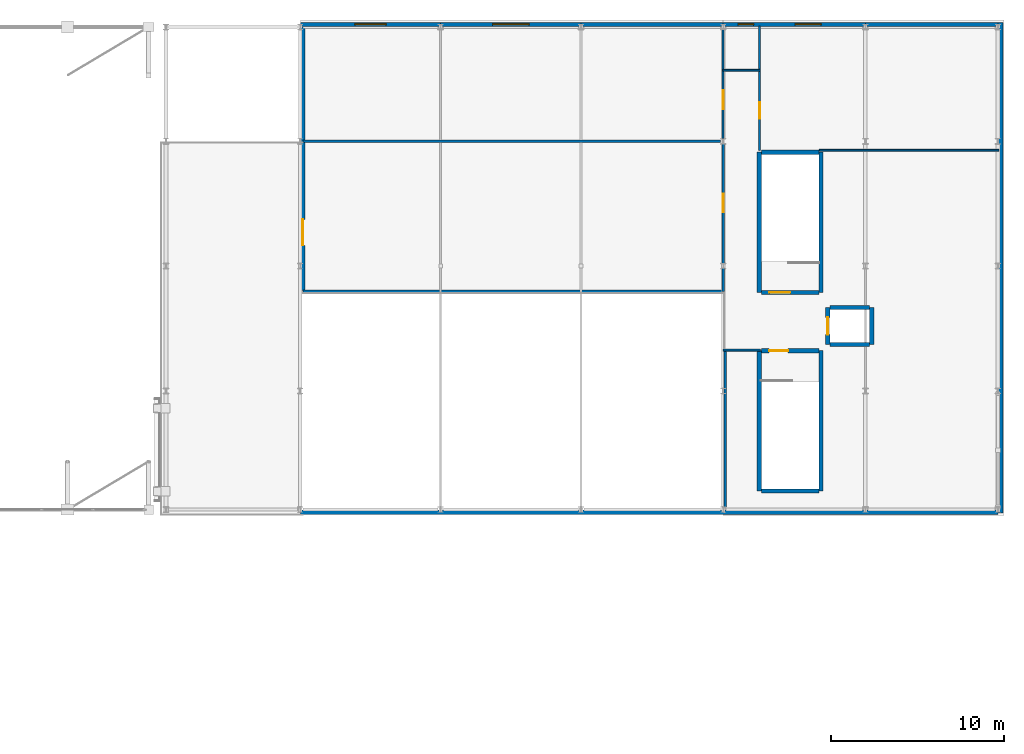
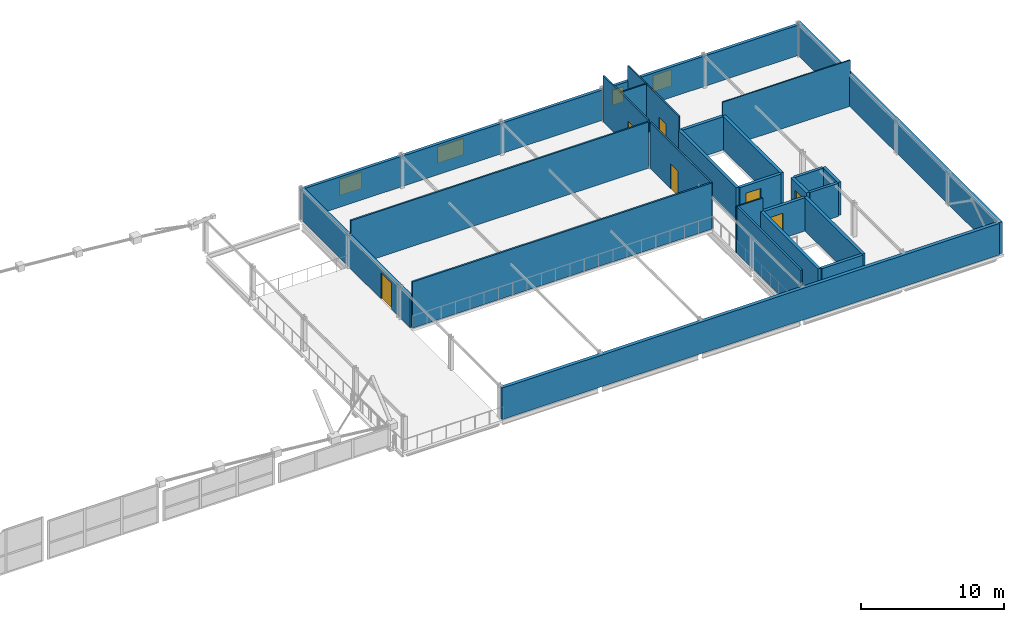
# One storey, part 53 of 60: 29 walls, 7 doors, 4 windows, 11 openings.
"""IFC4 building model written with IfcOpenShell, lengths in metres."""

from ifc_helpers import new_model, si_unit, direction, frame, frame_2d, origin, place, context, subcontext, project, spatial, rectangle, extrude, material, layer, layer_set, type_object, element, fill, save


model = new_model("IFC4")

# Units and contexts
model_context = context("Model", 3, precision=1e-05, world=origin(), true_north=direction((0.0, 1.0)))
body_context = subcontext(model_context, "Body", "Model", "MODEL_VIEW")
ifc_project = project(units=[si_unit("LENGTHUNIT", "METRE"), si_unit("AREAUNIT", "SQUARE_METRE"), si_unit("VOLUMEUNIT", "CUBIC_METRE"), si_unit("PLANEANGLEUNIT", "RADIAN"), si_unit("MASSUNIT", "GRAM", prefix="KILO")], contexts=[model_context])

# Site, building, storey
site_placement = place(None, origin())
site = spatial("IfcSite", under=ifc_project, at=site_placement, CompositionType="ELEMENT")
building_placement = place(site_placement, origin())
building = spatial("IfcBuilding", under=site, at=building_placement, Name="Quillay Park Conservatory", CompositionType="ELEMENT")
storey_placement = place(building_placement, frame((0.0, 0.0, 9.89990234375)))
storey = spatial("IfcBuildingStorey", under=building, at=storey_placement, Name="L02", CompositionType="ELEMENT", Elevation=9.89990234375)

# Wall
ifc_material_1 = material(Name="Steel-Stud Acoustic Gypsum Board Partition", Category="steel")
ifc_layer_1 = layer(ifc_material_1, 0.10009765625)
ifc_layer_set_1 = layer_set([ifc_layer_1], Name="ACOUSTIC GYPSUM PARTITION 100 (Steel-Stud Acoustic Gypsum Board Partition)")
wall_type_1 = type_object("IfcWallType", Name="ACOUSTIC GYPSUM PARTITION 100", PredefinedType="PARTITIONING", material=ifc_layer_set_1)
wall_1_placement = place(storey_placement, frame((153.550048828125, 106.280029296875, 0.0), z_axis=(0.0, 0.0, 1.0), x_axis=(1.0, 0.0, 0.0)))
element("IfcWall", 1, at=wall_1_placement, inside=storey, type_object=wall_type_1, Name="L02 Projection Suite South Wall", PredefinedType="PARTITIONING", context=body_context, shape_type="SweptSolid", body=[
    extrude(rectangle(XDim=10.349853515625, YDim=0.10009765625, at=frame_2d((5.1748046875, 0.0))), origin(), (0.0, 0.0, 1.0), 3.9501953125),
])

# Wall, opening, door
ifc_material_2 = material(Name="Steel-Stud Acoustic Gypsum Board Partition", Category="steel")
ifc_layer_2 = layer(ifc_material_2, 0.10498046875)
ifc_layer_set_2 = layer_set([ifc_layer_2], Name="ACOUSTIC GYPSUM PARTITION 105 (Steel-Stud Acoustic Gypsum Board Partition)")
wall_type_2 = type_object("IfcWallType", Name="ACOUSTIC GYPSUM PARTITION 105", PredefinedType="PARTITIONING", material=ifc_layer_set_2)
wall_2_placement = place(storey_placement, frame((150.10009765625, 106.280029296875, 0.0), z_axis=(0.0, 0.0, 1.0), x_axis=(0.0, 1.0, 0.0)))
wall_2 = element("IfcWall", 2, at=wall_2_placement, inside=storey, type_object=wall_type_2, Name="L02 Projection Suite West Door Wall", PredefinedType="PARTITIONING", context=body_context, shape_type="SweptSolid", body=[
    extrude(rectangle(XDim=7.169921875, YDim=0.10498046875, at=frame_2d((3.5849609375, 0.0))), origin(), (0.0, 0.0, 1.0), 3.9501953125),
])
opening_1_placement = place(wall_2_placement, frame((1.824951171875, 0.0, 0.0)))
opening_1 = element("IfcOpeningElement", 3, at=opening_1_placement, cuts=wall_2, Name="Opening D-RM13", PredefinedType="OPENING", context=body_context, shape_type="SweptSolid", body=[
    extrude(rectangle(XDim=0.949951171875, YDim=2.199951171875, at=frame_2d((0.47509765625, 1.10009765625))), frame((0.0, 0.052490234375, 0.0), z_axis=(0.0, -1.0, 0.0), x_axis=(1.0, 0.0, 0.0)), (0.0, 0.0, 1.0), 0.10498046875),
])
ifc_material_3 = material(Name="Thermally Broken Anodised Aluminium 6063-T6", Category="aluminium")
door_type_1 = type_object("IfcDoorType", Name="SINGLE SWING DOOR 950 X2200", OperationType="NOTDEFINED", PredefinedType="DOOR", material=ifc_material_3)
door_1_placement = place(opening_1_placement, origin())
door_1 = element("IfcDoor", 4, at=door_1_placement, inside=storey, type_object=door_type_1, Name="L02 Door to Auditorium Projection and Acoustic Control Suite", OperationType="SINGLE_SWING_LEFT", OverallHeight=2.199951171875, OverallWidth=0.949951171875, PredefinedType="DOOR", context=body_context, shape_type="SweptSolid", body=[
    extrude(rectangle(XDim=0.949951171875, YDim=2.199951171875, at=frame_2d((0.47509765625, 1.10009765625))), frame((0.0, 0.02490234375, 0.0), z_axis=(0.0, -1.0, 0.0), x_axis=(1.0, 0.0, 0.0)), (0.0, 0.0, 1.0), 0.050048828125),
])
fill(opening_1, door_1)

# Walls
ifc_material_4 = material(Name="Steel-Stud Acoustic Gypsum Board Partition", Category="steel")
ifc_layer_3 = layer(ifc_material_4, 0.110107421875)
ifc_layer_set_3 = layer_set([ifc_layer_3], Name="ACOUSTIC GYPSUM PARTITION 110 (Steel-Stud Acoustic Gypsum Board Partition)")
wall_type_3 = type_object("IfcWallType", Name="ACOUSTIC GYPSUM PARTITION 110", PredefinedType="PARTITIONING", material=ifc_layer_set_3)
wall_3_placement = place(storey_placement, frame((148.0, 110.89990234375, 0.0), z_axis=(0.0, 0.0, 1.0), x_axis=(1.0, 0.0, 0.0)))
element("IfcWall", 5, at=wall_3_placement, inside=storey, type_object=wall_type_3, Name="L02 Aud Corridor North Wall", PredefinedType="PARTITIONING", context=body_context, shape_type="SweptSolid", body=[
    extrude(rectangle(XDim=2.14990234375, YDim=0.110107421875, at=frame_2d((1.074951171875, 0.0))), origin(), (0.0, 0.0, 1.0), 3.9501953125),
])
ifc_material_5 = material(Name="Steel-Stud Acoustic Gypsum Board Partition", Category="steel")
ifc_layer_4 = layer(ifc_material_5, 0.114990234375)
ifc_layer_set_4 = layer_set([ifc_layer_4], Name="ACOUSTIC GYPSUM PARTITION 115 (Steel-Stud Acoustic Gypsum Board Partition)")
wall_type_4 = type_object("IfcWallType", Name="ACOUSTIC GYPSUM PARTITION 115", PredefinedType="PARTITIONING", material=ifc_layer_set_4)
wall_4_placement = place(storey_placement, frame((148.0, 94.75, 0.0), z_axis=(0.0, 0.0, 1.0), x_axis=(1.0, 0.0, 0.0)))
element("IfcWall", 6, at=wall_4_placement, inside=storey, type_object=wall_type_4, Name="L02 Aud Corridor South Wall", PredefinedType="PARTITIONING", context=body_context, shape_type="SweptSolid", body=[
    extrude(rectangle(XDim=2.14990234375, YDim=0.114990234375, at=frame_2d((1.074951171875, 0.0))), origin(), (0.0, 0.0, 1.0), 3.9501953125),
])

# Wall, opening, door
ifc_material_6 = material(Name="Steel-Stud Acoustic Gypsum Board Partition", Category="steel")
ifc_layer_5 = layer(ifc_material_6, 0.1201171875)
ifc_layer_set_5 = layer_set([ifc_layer_5], Name="ACOUSTIC GYPSUM PARTITION 120 (Steel-Stud Acoustic Gypsum Board Partition)")
wall_type_5 = type_object("IfcWallType", Name="ACOUSTIC GYPSUM PARTITION 120", PredefinedType="PARTITIONING", material=ifc_layer_set_5)
wall_5_placement = place(storey_placement, frame((148.0, 106.95654296875, 0.0), z_axis=(0.0, 0.0, 1.0), x_axis=(0.0, 1.0, 0.0)))
wall_5 = element("IfcWall", 7, at=wall_5_placement, inside=storey, type_object=wall_type_5, Name="L02 Translation Studio East Door Wall", PredefinedType="PARTITIONING", context=body_context, shape_type="SweptSolid", body=[
    extrude(rectangle(XDim=6.286865234375, YDim=0.1201171875, at=frame_2d((3.1435546875, 0.0))), origin(), (0.0, 0.0, 1.0), 3.9501953125),
])
opening_2_placement = place(wall_5_placement, frame((1.68359375, 0.0, 0.0)))
opening_2 = element("IfcOpeningElement", 8, at=opening_2_placement, cuts=wall_5, Name="Opening D-RM12", PredefinedType="OPENING", context=body_context, shape_type="SweptSolid", body=[
    extrude(rectangle(XDim=1.1201171875, YDim=2.14990234375, at=frame_2d((0.56005859375, 1.074951171875))), frame((0.0, 0.06005859375, 0.0), z_axis=(0.0, -1.0, 0.0), x_axis=(1.0, 0.0, 0.0)), (0.0, 0.0, 1.0), 0.1201171875),
])
ifc_material_7 = material(Name="Thermally Broken Anodised Aluminium 6063-T6", Category="aluminium")
door_type_2 = type_object("IfcDoorType", Name="SINGLE SWING DOOR 1120 X2150", OperationType="NOTDEFINED", PredefinedType="DOOR", material=ifc_material_7)
door_2_placement = place(opening_2_placement, origin())
door_2 = element("IfcDoor", 9, at=door_2_placement, inside=storey, type_object=door_type_2, Name="L02 Door to Auditorium Translation and Recording Studio", OperationType="SINGLE_SWING_RIGHT", OverallHeight=2.14990234375, OverallWidth=1.1201171875, PredefinedType="DOOR", context=body_context, shape_type="SweptSolid", body=[
    extrude(rectangle(XDim=1.1201171875, YDim=2.14990234375, at=frame_2d((0.56005859375, 1.074951171875))), frame((0.0, 0.02490234375, 0.0), z_axis=(0.0, -1.0, 0.0), x_axis=(1.0, 0.0, 0.0)), (0.0, 0.0, 1.0), 0.050048828125),
])
fill(opening_2, door_2)

ifc_material_8 = material(Name="Steel-Stud Acoustic Gypsum Board Partition", Category="steel")
ifc_layer_6 = layer(ifc_material_8, 0.125)
ifc_layer_set_6 = layer_set([ifc_layer_6], Name="ACOUSTIC GYPSUM PARTITION 125 (Steel-Stud Acoustic Gypsum Board Partition)")
wall_type_6 = type_object("IfcWallType", Name="ACOUSTIC GYPSUM PARTITION 125", PredefinedType="PARTITIONING", material=ifc_layer_set_6)
wall_6_placement = place(storey_placement, frame((148.0, 98.14990234375, 0.0), z_axis=(0.0, 0.0, 1.0), x_axis=(0.0, 1.0, 0.0)))
wall_6 = element("IfcWall", 10, at=wall_6_placement, inside=storey, type_object=wall_type_6, Name="L02 Gallery East Door Wall", PredefinedType="PARTITIONING", context=body_context, shape_type="SweptSolid", body=[
    extrude(rectangle(XDim=8.49365234375, YDim=0.125, at=frame_2d((4.246826171875, 0.0))), origin(), (0.0, 0.0, 1.0), 3.9501953125),
])
opening_3_placement = place(wall_6_placement, frame((4.56005859375, 0.0, 0.0)))
opening_3 = element("IfcOpeningElement", 11, at=opening_3_placement, cuts=wall_6, Name="Opening D-RM11", PredefinedType="OPENING", context=body_context, shape_type="SweptSolid", body=[
    extrude(rectangle(XDim=1.080078125, YDim=2.14990234375, at=frame_2d((0.5400390625, 1.074951171875))), frame((0.0, 0.0625, 0.0), z_axis=(0.0, -1.0, 0.0), x_axis=(1.0, 0.0, 0.0)), (0.0, 0.0, 1.0), 0.125),
])
ifc_material_9 = material(Name="Thermally Broken Anodised Aluminium 6063-T6", Category="aluminium")
door_type_3 = type_object("IfcDoorType", Name="SINGLE SWING DOOR 1080 X2150", OperationType="NOTDEFINED", PredefinedType="DOOR", material=ifc_material_9)
door_3_placement = place(opening_3_placement, origin())
door_3 = element("IfcDoor", 12, at=door_3_placement, inside=storey, type_object=door_type_3, Name="L02 Door to L02 Auditorium Terrace Gallery Lounge", OperationType="SINGLE_SWING_LEFT", OverallHeight=2.14990234375, OverallWidth=1.080078125, PredefinedType="DOOR", context=body_context, shape_type="SweptSolid", body=[
    extrude(rectangle(XDim=1.080078125, YDim=2.14990234375, at=frame_2d((0.5400390625, 1.074951171875))), frame((0.0, 0.02490234375, 0.0), z_axis=(0.0, -1.0, 0.0), x_axis=(1.0, 0.0, 0.0)), (0.0, 0.0, 1.0), 0.050048828125),
])
fill(opening_3, door_3)

# Walls
ifc_material_10 = material(Name="Steel-Stud Acoustic Gypsum Board Partition", Category="steel")
ifc_layer_7 = layer(ifc_material_10, 0.1298828125)
ifc_layer_set_7 = layer_set([ifc_layer_7], Name="ACOUSTIC GYPSUM PARTITION 130 (Steel-Stud Acoustic Gypsum Board Partition)")
wall_type_7 = type_object("IfcWallType", Name="ACOUSTIC GYPSUM PARTITION 130", PredefinedType="PARTITIONING", material=ifc_layer_set_7)
wall_7_placement = place(storey_placement, frame((123.75, 106.800048828125, 0.0), z_axis=(0.0, 0.0, 1.0), x_axis=(1.0, 0.0, 0.0)))
element("IfcWall", 13, at=wall_7_placement, inside=storey, type_object=wall_type_7, Name="L02 Gallery-Studio Divider", PredefinedType="PARTITIONING", context=body_context, shape_type="SweptSolid", body=[
    extrude(rectangle(XDim=24.1005859375, YDim=0.1298828125, at=frame_2d((12.05029296875, 0.0))), origin(), (0.0, 0.0, 1.0), 3.9501953125),
])
ifc_material_11 = material(Name="Steel-Stud Acoustic Gypsum Board Partition", Category="steel")
ifc_layer_8 = layer(ifc_material_11, 0.139892578125)
ifc_layer_set_8 = layer_set([ifc_layer_8], Name="ACOUSTIC GYPSUM PARTITION 140 (Steel-Stud Acoustic Gypsum Board Partition)")
wall_type_8 = type_object("IfcWallType", Name="ACOUSTIC GYPSUM PARTITION 140", PredefinedType="PARTITIONING", material=ifc_layer_set_8)
wall_8_placement = place(storey_placement, frame((123.75, 98.14990234375, 0.0), z_axis=(0.0, 0.0, 1.0), x_axis=(1.0, 0.0, 0.0)))
element("IfcWall", 14, at=wall_8_placement, inside=storey, type_object=wall_type_8, Name="L02 Gallery South Overlook Wall", PredefinedType="PARTITIONING", context=body_context, shape_type="SweptSolid", body=[
    extrude(rectangle(XDim=24.25, YDim=0.139892578125, at=frame_2d((12.125, 0.0))), origin(), (0.0, 0.0, 1.0), 3.9501953125),
])
ifc_material_12 = material(Name="Steel-Stud Acoustic Gypsum Board Partition", Category="steel")
ifc_layer_9 = layer(ifc_material_12, 0.14990234375)
ifc_layer_set_9 = layer_set([ifc_layer_9], Name="ACOUSTIC GYPSUM PARTITION 150 (Steel-Stud Acoustic Gypsum Board Partition)")
wall_type_9 = type_object("IfcWallType", Name="ACOUSTIC GYPSUM PARTITION 150", PredefinedType="PARTITIONING", material=ifc_layer_set_9)
wall_9_placement = place(storey_placement, frame((148.1201171875, 85.70654296875, 0.0), z_axis=(0.0, 0.0, 1.0), x_axis=(0.0, 1.0, 0.0)))
element("IfcWall", 15, at=wall_9_placement, inside=storey, type_object=wall_type_9, Name="L02 Aud East Void Closure", PredefinedType="PARTITIONING", context=body_context, shape_type="SweptSolid", body=[
    extrude(rectangle(XDim=9.04345703125, YDim=0.14990234375, at=frame_2d((4.521728515625, 0.0))), origin(), (0.0, 0.0, 1.0), 3.9501953125),
])
ifc_material_13 = material(Name="Concrete C35/45 (NCh170 Concrete C35/45)", Category="concrete")
ifc_layer_10 = layer(ifc_material_13, 0.22509765625)
ifc_layer_set_10 = layer_set([ifc_layer_10], Name="CORE SHEAR WALL 225 (Concrete C35/45 (NCh170 Concrete C35/45))")
wall_type_10 = type_object("IfcWallType", Name="CORE SHEAR WALL 225", PredefinedType="SHEAR", material=ifc_layer_set_10)
for number, where, z_axis, x_axis, name in (
    (16, (154.14990234375, 95.08740234375, 0.0), (0.0, 0.0, 1.0), (1.0, 0.0, 0.0), "L02 Core Shear Wall WL-LFA1S-L02"),
    (17, (154.14990234375, 97.21240234375, 0.0), (0.0, 0.0, 1.0), (1.0, 0.0, 0.0), "L02 Core Shear Wall WL-LFA1N-L02"),
):
    element("IfcWall", number, at=place(storey_placement, frame(where, z_axis=z_axis, x_axis=x_axis)), inside=storey, type_object=wall_type_10, Name=name, PredefinedType="SHEAR", context=body_context, shape_type="SweptSolid", body=[
        extrude(rectangle(XDim=2.300048828125, YDim=0.22509765625, at=frame_2d((1.14990234375, 0.0))), origin(), (0.0, 0.0, 1.0), 2.85009765625),
    ])
ifc_material_14 = material(Name="Concrete C40/50 (NCh170 Concrete C40/50)", Category="concrete")
ifc_layer_11 = layer(ifc_material_14, 0.25)
ifc_layer_set_11 = layer_set([ifc_layer_11], Name="CORE SHEAR WALL 250 (Concrete C40/50 (NCh170 Concrete C40/50))")
wall_type_11 = type_object("IfcWallType", Name="CORE SHEAR WALL 250", PredefinedType="SHEAR", material=ifc_layer_set_11)
for number, where, z_axis, x_axis, name in (
    (18, (150.074951171875, 86.625, 0.0), (0.0, 0.0, 1.0), (0.0, 1.0, 0.0), "L02 Core Shear Wall WL-A1W-L02"),
    (19, (153.64501953125, 86.625, 0.0), (0.0, 0.0, 1.0), (0.0, 1.0, 0.0), "L02 Core Shear Wall WL-A1E-L02"),
):
    element("IfcWall", number, at=place(storey_placement, frame(where, z_axis=z_axis, x_axis=x_axis)), inside=storey, type_object=wall_type_11, Name=name, PredefinedType="SHEAR", context=body_context, shape_type="SweptSolid", body=[
        extrude(rectangle(XDim=8.10009765625, YDim=0.25, at=frame_2d((4.050048828125, 0.0))), origin(), (0.0, 0.0, 1.0), 2.85009765625),
    ])
wall_10_placement = place(storey_placement, frame((150.199951171875, 86.625, 0.0), z_axis=(0.0, 0.0, 1.0), x_axis=(1.0, 0.0, 0.0)))
element("IfcWall", 20, at=wall_10_placement, inside=storey, type_object=wall_type_11, Name="L02 Core Shear Wall WL-A1S-L02", PredefinedType="SHEAR", context=body_context, shape_type="SweptSolid", body=[
    extrude(rectangle(XDim=3.320068359375, YDim=0.25, at=frame_2d((1.66015625, 0.0))), origin(), (0.0, 0.0, 1.0), 2.85009765625),
])

# Wall, opening, door
wall_11_placement = place(storey_placement, frame((150.199951171875, 94.72509765625, 0.0), z_axis=(0.0, 0.0, 1.0), x_axis=(1.0, 0.0, 0.0)))
wall_11 = element("IfcWall", 21, at=wall_11_placement, inside=storey, type_object=wall_type_11, Name="L02 Core Shear Wall WL-A1D-L02", PredefinedType="SHEAR", context=body_context, shape_type="SweptSolid", body=[
    extrude(rectangle(XDim=3.320068359375, YDim=0.25, at=frame_2d((1.66015625, 0.0))), origin(), (0.0, 0.0, 1.0), 2.85009765625),
])
opening_4_placement = place(wall_11_placement, frame((0.449951171875, 0.0, 0.0)))
opening_4 = element("IfcOpeningElement", 22, at=opening_4_placement, cuts=wall_11, Name="Opening D-ST01", PredefinedType="OPENING", context=body_context, shape_type="SweptSolid", body=[
    extrude(rectangle(XDim=1.10009765625, YDim=2.14990234375, at=frame_2d((0.550048828125, 1.074951171875))), frame((0.0, 0.125, 0.0), z_axis=(0.0, -1.0, 0.0), x_axis=(1.0, 0.0, 0.0)), (0.0, 0.0, 1.0), 0.25),
])
ifc_material_15 = material(Name="Steel ASTM A572 Grade 50", Category="steel")
door_type_4 = type_object("IfcDoorType", Name="FIRE RATED STAIR DOOR 1100 X2150", OperationType="NOTDEFINED", PredefinedType="DOOR", material=ifc_material_15)
door_4_placement = place(opening_4_placement, origin())
door_4 = element("IfcDoor", 23, at=door_4_placement, inside=storey, type_object=door_type_4, Name="L02 Auditorium Stair ST-A1 Door", OperationType="SINGLE_SWING_LEFT", OverallHeight=2.14990234375, OverallWidth=1.10009765625, PredefinedType="DOOR", context=body_context, shape_type="SweptSolid", body=[
    extrude(rectangle(XDim=1.10009765625, YDim=2.14990234375, at=frame_2d((0.550048828125, 1.074951171875))), frame((0.0, 0.02490234375, 0.0), z_axis=(0.0, -1.0, 0.0), x_axis=(1.0, 0.0, 0.0)), (0.0, 0.0, 1.0), 0.050048828125),
])
fill(opening_4, door_4)

# Walls
for number, where, z_axis, x_axis, name in (
    (24, (150.074951171875, 98.074951171875, 0.0), (0.0, 0.0, 1.0), (0.0, 1.0, 0.0), "L02 Core Shear Wall WL-A2W-L02"),
    (25, (153.64501953125, 98.074951171875, 0.0), (0.0, 0.0, 1.0), (0.0, 1.0, 0.0), "L02 Core Shear Wall WL-A2E-L02"),
):
    element("IfcWall", number, at=place(storey_placement, frame(where, z_axis=z_axis, x_axis=x_axis)), inside=storey, type_object=wall_type_11, Name=name, PredefinedType="SHEAR", context=body_context, shape_type="SweptSolid", body=[
        extrude(rectangle(XDim=8.10009765625, YDim=0.25, at=frame_2d((4.050048828125, 0.0))), origin(), (0.0, 0.0, 1.0), 2.85009765625),
    ])
wall_12_placement = place(storey_placement, frame((150.199951171875, 106.175048828125, 0.0), z_axis=(0.0, 0.0, 1.0), x_axis=(1.0, 0.0, 0.0)))
element("IfcWall", 26, at=wall_12_placement, inside=storey, type_object=wall_type_11, Name="L02 Core Shear Wall WL-A2N-L02", PredefinedType="SHEAR", context=body_context, shape_type="SweptSolid", body=[
    extrude(rectangle(XDim=3.320068359375, YDim=0.25, at=frame_2d((1.66015625, 0.0))), origin(), (0.0, 0.0, 1.0), 2.85009765625),
])

# Wall, opening, door
wall_13_placement = place(storey_placement, frame((153.52001953125, 98.074951171875, 0.0), z_axis=(0.0, 0.0, 1.0), x_axis=(-1.0, 0.0, 0.0)))
wall_13 = element("IfcWall", 27, at=wall_13_placement, inside=storey, type_object=wall_type_11, Name="L02 Core Shear Wall WL-A2D-L02", PredefinedType="SHEAR", context=body_context, shape_type="SweptSolid", body=[
    extrude(rectangle(XDim=3.320068359375, YDim=0.25, at=frame_2d((1.66015625, 0.0))), origin(), (0.0, 0.0, 1.0), 2.85009765625),
])
opening_5_placement = place(wall_13_placement, frame((1.64990234375, 0.0, 0.0)))
opening_5 = element("IfcOpeningElement", 28, at=opening_5_placement, cuts=wall_13, Name="Opening D-ST03", PredefinedType="OPENING", context=body_context, shape_type="SweptSolid", body=[
    extrude(rectangle(XDim=1.199951171875, YDim=2.199951171875, at=frame_2d((0.60009765625, 1.10009765625))), frame((0.0, 0.125, 0.0), z_axis=(0.0, -1.0, 0.0), x_axis=(1.0, 0.0, 0.0)), (0.0, 0.0, 1.0), 0.25),
])
ifc_material_16 = material(Name="Steel ASTM A572 Grade 50", Category="steel")
door_type_5 = type_object("IfcDoorType", Name="FIRE RATED STAIR DOOR 1200 X2200", OperationType="NOTDEFINED", PredefinedType="DOOR", material=ifc_material_16)
door_5_placement = place(opening_5_placement, origin())
door_5 = element("IfcDoor", 29, at=door_5_placement, inside=storey, type_object=door_type_5, Name="L02 Auditorium Stair ST-A2 Door", OperationType="SINGLE_SWING_RIGHT", OverallHeight=2.199951171875, OverallWidth=1.199951171875, PredefinedType="DOOR", context=body_context, shape_type="SweptSolid", body=[
    extrude(rectangle(XDim=1.199951171875, YDim=2.199951171875, at=frame_2d((0.60009765625, 1.10009765625))), frame((0.0, 0.02490234375, 0.0), z_axis=(0.0, -1.0, 0.0), x_axis=(1.0, 0.0, 0.0)), (0.0, 0.0, 1.0), 0.050048828125),
])
fill(opening_5, door_5)

# Wall
wall_14_placement = place(storey_placement, frame((156.574951171875, 95.074951171875, 0.0), z_axis=(0.0, 0.0, 1.0), x_axis=(0.0, 1.0, 0.0)))
element("IfcWall", 30, at=wall_14_placement, inside=storey, type_object=wall_type_11, Name="L02 Core Shear Wall WL-LFA1B-L02", PredefinedType="SHEAR", context=body_context, shape_type="SweptSolid", body=[
    extrude(rectangle(XDim=2.150146484375, YDim=0.25, at=frame_2d((1.0751953125, 0.0))), origin(), (0.0, 0.0, 1.0), 2.85009765625),
])

# Wall, opening, door
wall_15_placement = place(storey_placement, frame((154.02490234375, 95.074951171875, 0.0), z_axis=(0.0, 0.0, 1.0), x_axis=(0.0, 1.0, 0.0)))
wall_15 = element("IfcWall", 31, at=wall_15_placement, inside=storey, type_object=wall_type_11, Name="L02 Core Shear Wall WL-LFA1F-L02", PredefinedType="SHEAR", context=body_context, shape_type="SweptSolid", body=[
    extrude(rectangle(XDim=2.150146484375, YDim=0.25, at=frame_2d((1.0751953125, 0.0))), origin(), (0.0, 0.0, 1.0), 2.85009765625),
])
opening_6_placement = place(wall_15_placement, frame((0.574951171875, 0.0, 0.0)))
opening_6 = element("IfcOpeningElement", 32, at=opening_6_placement, cuts=wall_15, Name="Opening LD04", PredefinedType="OPENING", context=body_context, shape_type="SweptSolid", body=[
    extrude(rectangle(XDim=1.0, YDim=2.10009765625, at=frame_2d((0.5, 1.050048828125))), frame((0.0, 0.125, 0.0), z_axis=(0.0, -1.0, 0.0), x_axis=(1.0, 0.0, 0.0)), (0.0, 0.0, 1.0), 0.25),
])
ifc_material_17 = material(Name="Steel ASTM A572 Grade 50", Category="steel")
door_type_6 = type_object("IfcDoorType", Name="LIFT LANDING SLIDING DOOR 1000 X2100", OperationType="NOTDEFINED", PredefinedType="DOOR", material=ifc_material_17)
door_6_placement = place(opening_6_placement, origin())
door_6 = element("IfcDoor", 33, at=door_6_placement, inside=storey, type_object=door_type_6, Name="L02 LF-A1 Lift Landing Door LD04", OperationType="SLIDING_TO_LEFT", OverallHeight=2.10009765625, OverallWidth=1.0, PredefinedType="DOOR", context=body_context, shape_type="SweptSolid", body=[
    extrude(rectangle(XDim=1.0, YDim=2.10009765625, at=frame_2d((0.5, 1.050048828125))), frame((0.0, 0.02490234375, 0.0), z_axis=(0.0, -1.0, 0.0), x_axis=(1.0, 0.0, 0.0)), (0.0, 0.0, 1.0), 0.050048828125),
])
fill(opening_6, door_6)

# Wall, opening, window
ifc_material_18 = material(Name="Glass-Fibre Reinforced Concrete (GRC) Cladding", Category="concrete")
ifc_layer_12 = layer(ifc_material_18, 0.239990234375)
ifc_layer_set_12 = layer_set([ifc_layer_12], Name="EXTERIOR SOLID WALL 240 (Glass-Fibre Reinforced Concrete (GRC) Cladding)")
wall_type_12 = type_object("IfcWallType", Name="EXTERIOR SOLID WALL 240", PredefinedType="SOLIDWALL", material=ifc_layer_set_12)
wall_16_placement = place(storey_placement, frame((123.60009765625, 113.550048828125, 0.0), z_axis=(0.0, 0.0, 1.0), x_axis=(1.0, 0.0, 0.0)))
wall_16 = element("IfcWall", 34, at=wall_16_placement, inside=storey, type_object=wall_type_12, Name="L02 External Wall WL-EXT-V2NB-L02-0", PredefinedType="SOLIDWALL", context=body_context, shape_type="SweptSolid", body=[
    extrude(rectangle(XDim=8.099853515625, YDim=0.239990234375, at=frame_2d((4.0498046875, 0.0))), origin(), (0.0, 0.0, 1.0), 2.60009765625),
])
opening_7_placement = place(wall_16_placement, frame((3.14990234375, 0.0, 0.919921875)))
opening_7 = element("IfcOpeningElement", 35, at=opening_7_placement, cuts=wall_16, Name="Opening W-05", PredefinedType="OPENING", context=body_context, shape_type="SweptSolid", body=[
    extrude(rectangle(XDim=1.800048828125, YDim=1.39990234375, at=frame_2d((0.89990234375, 0.699951171875))), frame((0.0, 0.1201171875, 0.0), z_axis=(0.0, -1.0, 0.0), x_axis=(1.0, 0.0, 0.0)), (0.0, 0.0, 1.0), 0.239990234375),
])
ifc_material_19 = material(Name="Low-E Double Glazing (Laminated Tempered)", Category="glass")
window_type_1 = type_object("IfcWindowType", Name="FIXED CASEMENT WINDOW 1800 X1400", PartitioningType="DOUBLE_PANEL_VERTICAL", PredefinedType="WINDOW", material=ifc_material_19)
window_1_placement = place(opening_7_placement, origin())
window_1 = element("IfcWindow", 36, at=window_1_placement, inside=storey, type_object=window_type_1, Name="L02 Exterior Window 0389", OverallHeight=1.39990234375, OverallWidth=1.800048828125, PartitioningType="DOUBLE_PANEL_VERTICAL", PredefinedType="WINDOW", context=body_context, shape_type="SweptSolid", body=[
    extrude(rectangle(XDim=1.800048828125, YDim=1.39990234375, at=frame_2d((0.89990234375, 0.699951171875))), frame((0.0, 0.030029296875, 0.0), z_axis=(0.0, -1.0, 0.0), x_axis=(1.0, 0.0, 0.0)), (0.0, 0.0, 1.0), 0.06005859375),
])
fill(opening_7, window_1)

wall_17_placement = place(storey_placement, frame((131.699951171875, 113.550048828125, 0.0), z_axis=(0.0, 0.0, 1.0), x_axis=(1.0, 0.0, 0.0)))
wall_17 = element("IfcWall", 37, at=wall_17_placement, inside=storey, type_object=wall_type_12, Name="L02 External Wall WL-EXT-V2NB-L02-1", PredefinedType="SOLIDWALL", context=body_context, shape_type="SweptSolid", body=[
    extrude(rectangle(XDim=8.10009765625, YDim=0.239990234375, at=frame_2d((4.050048828125, 0.0))), origin(), (0.0, 0.0, 1.0), 2.60009765625),
])
opening_8_placement = place(wall_17_placement, frame((3.0, 0.0, 0.919921875)))
opening_8 = element("IfcOpeningElement", 38, at=opening_8_placement, cuts=wall_17, Name="Opening W-06", PredefinedType="OPENING", context=body_context, shape_type="SweptSolid", body=[
    extrude(rectangle(XDim=2.10009765625, YDim=1.39990234375, at=frame_2d((1.050048828125, 0.699951171875))), frame((0.0, 0.1201171875, 0.0), z_axis=(0.0, -1.0, 0.0), x_axis=(1.0, 0.0, 0.0)), (0.0, 0.0, 1.0), 0.239990234375),
])
ifc_material_20 = material(Name="Low-E Double Glazing (Laminated Tempered)", Category="glass")
window_type_2 = type_object("IfcWindowType", Name="FIXED CASEMENT WINDOW 2100 X1400", PartitioningType="DOUBLE_PANEL_VERTICAL", PredefinedType="WINDOW", material=ifc_material_20)
window_2_placement = place(opening_8_placement, origin())
window_2 = element("IfcWindow", 39, at=window_2_placement, inside=storey, type_object=window_type_2, Name="L02 Exterior Window 0390", OverallHeight=1.39990234375, OverallWidth=2.10009765625, PartitioningType="DOUBLE_PANEL_VERTICAL", PredefinedType="WINDOW", context=body_context, shape_type="SweptSolid", body=[
    extrude(rectangle(XDim=2.10009765625, YDim=1.39990234375, at=frame_2d((1.050048828125, 0.699951171875))), frame((0.0, 0.030029296875, 0.0), z_axis=(0.0, -1.0, 0.0), x_axis=(1.0, 0.0, 0.0)), (0.0, 0.0, 1.0), 0.06005859375),
])
fill(opening_8, window_2)

# Wall
wall_18_placement = place(storey_placement, frame((139.800048828125, 113.550048828125, 0.0), z_axis=(0.0, 0.0, 1.0), x_axis=(1.0, 0.0, 0.0)))
element("IfcWall", 40, at=wall_18_placement, inside=storey, type_object=wall_type_12, Name="L02 External Wall WL-EXT-V2NB-L02-2", PredefinedType="SOLIDWALL", context=body_context, shape_type="SweptSolid", body=[
    extrude(rectangle(XDim=8.199951171875, YDim=0.239990234375, at=frame_2d((4.10009765625, 0.0))), origin(), (0.0, 0.0, 1.0), 2.60009765625),
])

# Wall, openings, windows
wall_19_placement = place(storey_placement, frame((148.0, 113.550048828125, 0.0), z_axis=(0.0, 0.0, 1.0), x_axis=(1.0, 0.0, 0.0)))
wall_19 = element("IfcWall", 41, at=wall_19_placement, inside=storey, type_object=wall_type_12, Name="L02 External Wall WL-EXT-V2NB-L02-3", PredefinedType="SOLIDWALL", context=body_context, shape_type="SweptSolid", body=[
    extrude(rectangle(XDim=8.199951171875, YDim=0.239990234375, at=frame_2d((4.10009765625, 0.0))), origin(), (0.0, 0.0, 1.0), 2.60009765625),
])
opening_9_placement = place(wall_19_placement, frame((0.85498046875, 0.0, 0.919921875)))
opening_9 = element("IfcOpeningElement", 42, at=opening_9_placement, cuts=wall_19, Name="Opening W-17", PredefinedType="OPENING", context=body_context, shape_type="SweptSolid", body=[
    extrude(rectangle(XDim=0.89990234375, YDim=1.300048828125, at=frame_2d((0.449951171875, 0.64990234375))), frame((0.0, 0.1201171875, 0.0), z_axis=(0.0, -1.0, 0.0), x_axis=(1.0, 0.0, 0.0)), (0.0, 0.0, 1.0), 0.239990234375),
])
opening_10_placement = place(wall_19_placement, frame((4.14501953125, 0.0, 0.919921875)))
opening_10 = element("IfcOpeningElement", 43, at=opening_10_placement, cuts=wall_19, Name="Opening W-03", PredefinedType="OPENING", context=body_context, shape_type="SweptSolid", body=[
    extrude(rectangle(XDim=1.5, YDim=1.39990234375, at=frame_2d((0.75, 0.699951171875))), frame((0.0, 0.1201171875, 0.0), z_axis=(0.0, -1.0, 0.0), x_axis=(1.0, 0.0, 0.0)), (0.0, 0.0, 1.0), 0.239990234375),
])
ifc_material_21 = material(Name="Low-E Double Glazing (Laminated Tempered)", Category="glass")
window_type_3 = type_object("IfcWindowType", Name="FIXED CASEMENT WINDOW 1500 X1400", PartitioningType="SINGLE_PANEL", PredefinedType="WINDOW", material=ifc_material_21)
window_3_placement = place(opening_10_placement, origin())
window_3 = element("IfcWindow", 44, at=window_3_placement, inside=storey, type_object=window_type_3, Name="L02 Exterior Window 0392", OverallHeight=1.39990234375, OverallWidth=1.5, PartitioningType="SINGLE_PANEL", PredefinedType="WINDOW", context=body_context, shape_type="SweptSolid", body=[
    extrude(rectangle(XDim=1.5, YDim=1.39990234375, at=frame_2d((0.75, 0.699951171875))), frame((0.0, 0.030029296875, 0.0), z_axis=(0.0, -1.0, 0.0), x_axis=(1.0, 0.0, 0.0)), (0.0, 0.0, 1.0), 0.06005859375),
])
fill(opening_10, window_3)
ifc_material_22 = material(Name="Low-E Double Glazing (Laminated Tempered)", Category="glass")
window_type_4 = type_object("IfcWindowType", Name="FIXED CASEMENT WINDOW 900 X1300", PartitioningType="SINGLE_PANEL", PredefinedType="WINDOW", material=ifc_material_22)
window_4_placement = place(opening_9_placement, origin())
window_4 = element("IfcWindow", 45, at=window_4_placement, inside=storey, type_object=window_type_4, Name="L02 Exterior Window 0391", OverallHeight=1.300048828125, OverallWidth=0.89990234375, PartitioningType="SINGLE_PANEL", PredefinedType="WINDOW", context=body_context, shape_type="SweptSolid", body=[
    extrude(rectangle(XDim=0.89990234375, YDim=1.300048828125, at=frame_2d((0.449951171875, 0.64990234375))), frame((0.0, 0.030029296875, 0.0), z_axis=(0.0, -1.0, 0.0), x_axis=(1.0, 0.0, 0.0)), (0.0, 0.0, 1.0), 0.06005859375),
])
fill(opening_9, window_4)

# Wall
wall_20_placement = place(storey_placement, frame((156.199951171875, 113.550048828125, 0.0), z_axis=(0.0, 0.0, 1.0), x_axis=(1.0, 0.0, 0.0)))
element("IfcWall", 46, at=wall_20_placement, inside=storey, type_object=wall_type_12, Name="L02 External Wall WL-EXT-V2NB-L02-4", PredefinedType="SOLIDWALL", context=body_context, shape_type="SweptSolid", body=[
    extrude(rectangle(XDim=7.650146484375, YDim=0.239990234375, at=frame_2d((3.8251953125, 0.0))), origin(), (0.0, 0.0, 1.0), 2.60009765625),
])

# Wall, opening, door
wall_21_placement = place(storey_placement, frame((123.75, 98.199951171875, 0.0), z_axis=(0.0, 0.0, 1.0), x_axis=(0.0, 1.0, 0.0)))
wall_21 = element("IfcWall", 47, at=wall_21_placement, inside=storey, type_object=wall_type_12, Name="L02 External Wall WL-EXT-L02-TERR", PredefinedType="SOLIDWALL", context=body_context, shape_type="SweptSolid", body=[
    extrude(rectangle(XDim=15.199951171875, YDim=0.239990234375, at=frame_2d((7.60009765625, 0.0))), origin(), (0.0, 0.0, 1.0), 2.68017578125),
])
opening_11_placement = place(wall_21_placement, frame((2.60009765625, 0.0, 0.0)))
opening_11 = element("IfcOpeningElement", 48, at=opening_11_placement, cuts=wall_21, Name="Opening D-TR04", PredefinedType="OPENING", context=body_context, shape_type="SweptSolid", body=[
    extrude(rectangle(XDim=1.5, YDim=2.25, at=frame_2d((0.75, 1.125))), frame((0.0, 0.1201171875, 0.0), z_axis=(0.0, -1.0, 0.0), x_axis=(1.0, 0.0, 0.0)), (0.0, 0.0, 1.0), 0.239990234375),
])
ifc_material_23 = material(Name="Thermally Broken Anodised Aluminium 6063-T6", Category="aluminium")
door_type_7 = type_object("IfcDoorType", Name="TERRACE GLAZED DOOR 1500 X2250", OperationType="NOTDEFINED", PredefinedType="DOOR", material=ifc_material_23)
door_7_placement = place(opening_11_placement, origin())
door_7 = element("IfcDoor", 49, at=door_7_placement, inside=storey, type_object=door_type_7, Name="L02 Auditorium Foyer Terrace Door", OperationType="SINGLE_SWING_LEFT", OverallHeight=2.25, OverallWidth=1.5, PredefinedType="DOOR", context=body_context, shape_type="SweptSolid", body=[
    extrude(rectangle(XDim=1.5, YDim=2.25, at=frame_2d((0.75, 1.125))), frame((0.0, 0.02490234375, 0.0), z_axis=(0.0, -1.0, 0.0), x_axis=(1.0, 0.0, 0.0)), (0.0, 0.0, 1.0), 0.050048828125),
])
fill(opening_11, door_7)

# Walls
ifc_material_24 = material(Name="Concrete C35/45 (NCh170 Concrete C35/45)", Category="concrete")
ifc_layer_13 = layer(ifc_material_24, 0.280029296875)
ifc_layer_set_13 = layer_set([ifc_layer_13], Name="SOLID FIREWALL 280 (Concrete C35/45 (NCh170 Concrete C35/45))")
wall_type_13 = type_object("IfcWallType", Name="SOLID FIREWALL 280", PredefinedType="SOLIDWALL", material=ifc_layer_set_13)
wall_22_placement = place(storey_placement, frame((163.85009765625, 85.39990234375, 0.0), z_axis=(0.0, 0.0, 1.0), x_axis=(-1.0, 0.0, 0.0)))
element("IfcWall", 50, at=wall_22_placement, inside=storey, type_object=wall_type_13, Name="L02 Auditorium Inner-South Firewall", PredefinedType="SOLIDWALL", context=body_context, shape_type="SweptSolid", body=[
    extrude(rectangle(XDim=40.25, YDim=0.280029296875, at=frame_2d((20.125, 0.0))), origin(), (0.0, 0.0, 1.0), 2.7001953125),
])
ifc_material_25 = material(Name="Concrete C35/45 (NCh170 Concrete C35/45)", Category="concrete")
ifc_layer_14 = layer(ifc_material_25, 0.300048828125)
ifc_layer_set_14 = layer_set([ifc_layer_14], Name="SOLID FIREWALL 300 (Concrete C35/45 (NCh170 Concrete C35/45))")
wall_type_14 = type_object("IfcWallType", Name="SOLID FIREWALL 300", PredefinedType="SOLIDWALL", material=ifc_layer_set_14)
wall_23_placement = place(storey_placement, frame((164.0, 113.64990234375, 0.0), z_axis=(0.0, 0.0, 1.0), x_axis=(0.0, -1.0, 0.0)))
element("IfcWall", 51, at=wall_23_placement, inside=storey, type_object=wall_type_14, Name="L02 East Neighbour Party Firewall", PredefinedType="SOLIDWALL", context=body_context, shape_type="SweptSolid", body=[
    extrude(rectangle(XDim=28.2998046875, YDim=0.300048828125, at=frame_2d((14.14990234375, 0.0))), origin(), (0.0, 0.0, 1.0), 2.7001953125),
])

save(model, "model.ifc")
